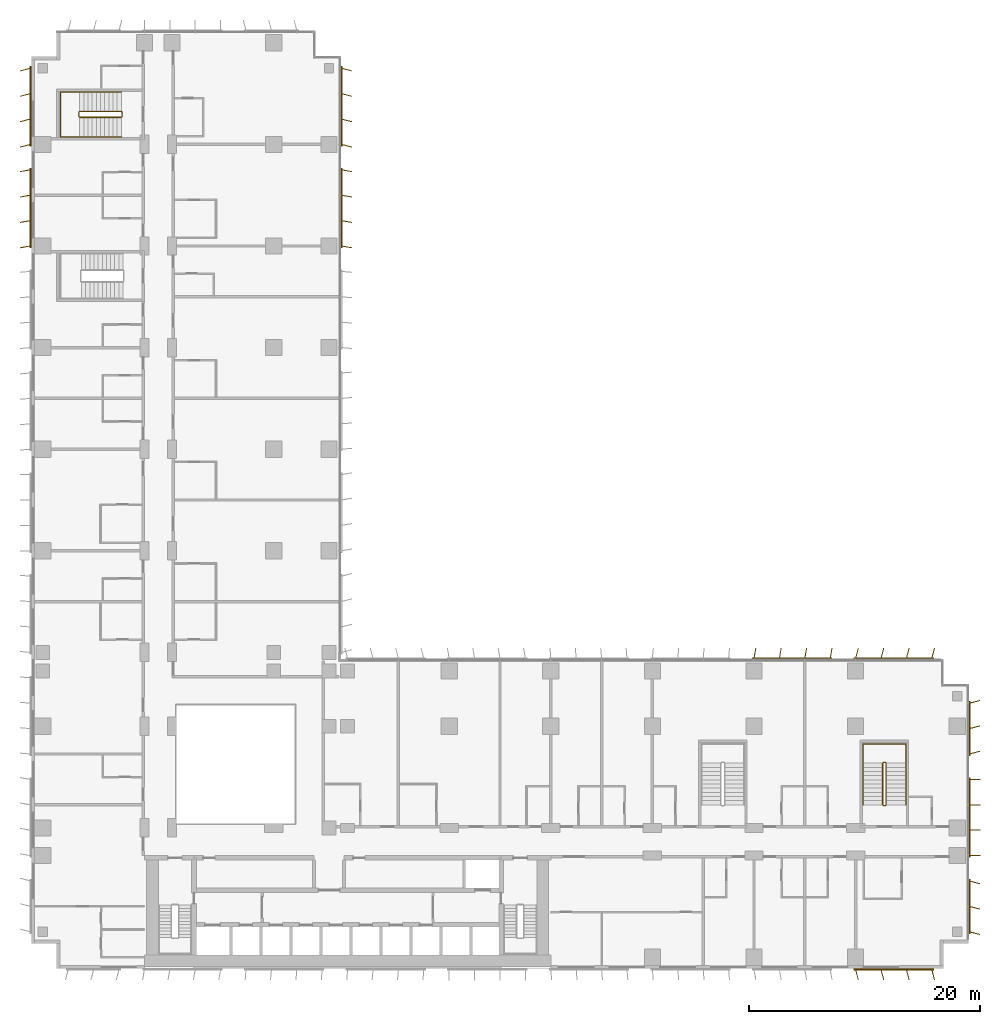
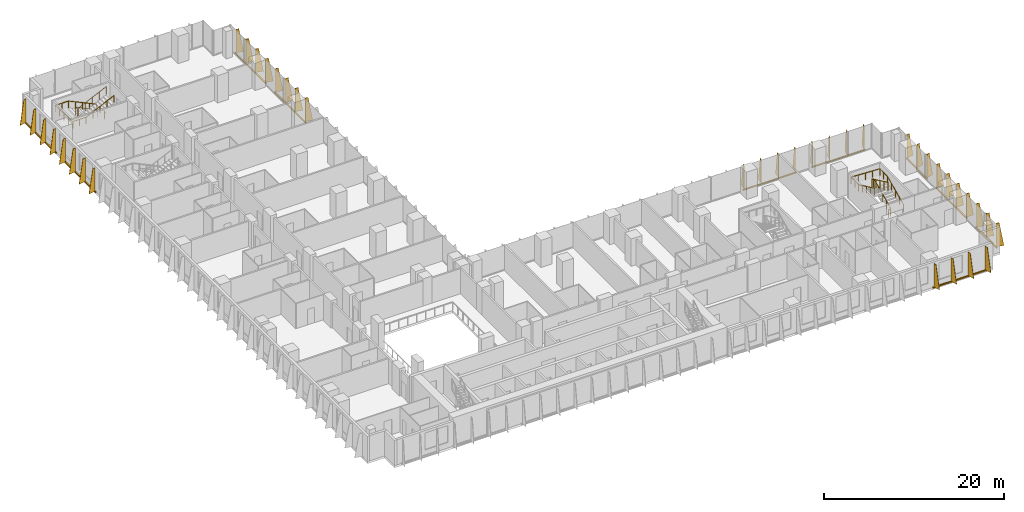
# One storey, part 23 of 24: 10 shading devices, 4 railings.
"""IFC4 building model written with IfcOpenShell, lengths in metres."""

from ifc_helpers import new_model, si_unit, direction, frame, origin, origin_2d, place, context, subcontext, project, spatial, polyline, rectangle, circle, outline, extrude, source, transform, mapped, material, layer, layer_set, type_object, element, save


model = new_model("IFC4")

# Units and contexts
model_context = context("Model", 3, precision=1e-05, world=origin(), true_north=direction((0.0, 1.0)))
body_context = subcontext(model_context, "Body", "Model", "MODEL_VIEW")
ifc_project = project(units=[si_unit("LENGTHUNIT", "METRE"), si_unit("AREAUNIT", "SQUARE_METRE"), si_unit("VOLUMEUNIT", "CUBIC_METRE"), si_unit("PLANEANGLEUNIT", "RADIAN"), si_unit("MASSUNIT", "GRAM", prefix="KILO")], contexts=[model_context])

# Site, building, storey
site_placement = place(None, origin())
site = spatial("IfcSite", under=ifc_project, at=site_placement, CompositionType="ELEMENT")
building_placement = place(site_placement, origin())
building = spatial("IfcBuilding", under=site, at=building_placement, Name="Kemantara Hotel Tower", CompositionType="ELEMENT")
storey_placement = place(building_placement, frame((0.0, 0.0, 48.800048828125)))
storey = spatial("IfcBuildingStorey", under=building, at=storey_placement, Name="L10", CompositionType="ELEMENT", Elevation=48.800048828125)

# Railings
ifc_material_1 = material(Name="Stainless steel balustrade", Category="steel")
railing_type_1 = type_object("IfcRailingType", Name="Stair guard 1100 mm", PredefinedType="GUARDRAIL", material=ifc_material_1)
railing_1_placement = place(storey_placement, frame((73.75, 14.199951171875, 3.699951171875)))
element("IfcRailing", 1, at=railing_1_placement, inside=storey, type_object=railing_type_1, Name="L10 ST5 stair guard 1", PredefinedType="GUARDRAIL", context=body_context, shape_type="SweptSolid", body=[
    extrude(circle(Radius=0.02392578125, at=origin_2d()), frame((0.0, 0.0, 1.076171875), z_axis=(0.0, 0.906005689286, -0.423265508849), x_axis=(-1.0, 0.0, 0.0)), (0.0, 0.0, 1.0), 3.9736328125),
    extrude(circle(Radius=0.02392578125, at=origin_2d()), frame((0.0, 3.60009765625, -0.60595703125), z_axis=(0.274243871929, 0.274243871929, -0.92172696468), x_axis=(-0.707106781187, 0.707106781187, 0.0)), (0.0, 0.0, 1.0), 0.1826171875),
    extrude(circle(Radius=0.02392578125, at=origin_2d()), frame((0.050048828125, 3.650146484375, -0.77392578125), z_axis=(1.0, 0.0, 0.0), x_axis=(0.0, 1.0, 0.0)), (0.0, 0.0, 1.0), 0.199951171875),
    extrude(circle(Radius=0.02392578125, at=origin_2d()), frame((0.25, 3.650146484375, -0.77392578125), z_axis=(0.707106781187, -0.707106781187, 0.0), x_axis=(0.707106781187, 0.707106781187, 0.0)), (0.0, 0.0, 1.0), 0.07080078125),
    extrude(circle(Radius=0.02392578125, at=origin_2d()), frame((0.300048828125, 3.60009765625, -0.77392578125), z_axis=(0.0, -0.906029249863, -0.423215073447), x_axis=(1.0, 0.0, 0.0)), (0.0, 0.0, 1.0), 3.973388671875),
    extrude(circle(Radius=0.02392578125, at=origin_2d()), frame((0.300048828125, 0.0, -2.45556640625), z_axis=(-0.274243871929, -0.274243871929, -0.92172696468), x_axis=(0.707106781187, -0.707106781187, 0.0)), (0.0, 0.0, 1.0), 0.1826171875),
    extrude(circle(Radius=0.02392578125, at=origin_2d()), frame((0.25, -0.050048828125, -2.6240234375), z_axis=(-1.0, 0.0, 0.0), x_axis=(0.0, -1.0, 0.0)), (0.0, 0.0, 1.0), 0.199951171875),
    extrude(circle(Radius=0.02099609375, at=origin_2d()), origin(), (0.0, 0.0, 1.0), 1.052001953125),
    extrude(circle(Radius=0.02099609375, at=origin_2d()), frame((0.0, 0.89990234375, -0.42041015625)), (0.0, 0.0, 1.0), 1.052001953125),
    extrude(circle(Radius=0.02099609375, at=origin_2d()), frame((0.0, 1.800048828125, -0.8408203125)), (0.0, 0.0, 1.0), 1.052001953125),
    extrude(circle(Radius=0.02099609375, at=origin_2d()), frame((0.0, 2.7001953125, -1.261474609375)), (0.0, 0.0, 1.0), 1.052001953125),
    extrude(circle(Radius=0.02099609375, at=origin_2d()), frame((0.0, 3.60009765625, -1.681884765625)), (0.0, 0.0, 1.0), 1.052001953125),
    extrude(circle(Radius=0.02099609375, at=origin_2d()), frame((0.050048828125, 3.650146484375, -1.85009765625)), (0.0, 0.0, 1.0), 1.052001953125),
    extrude(circle(Radius=0.02099609375, at=origin_2d()), frame((0.25, 3.650146484375, -1.85009765625)), (0.0, 0.0, 1.0), 1.052001953125),
    extrude(circle(Radius=0.02099609375, at=origin_2d()), frame((0.300048828125, 3.60009765625, -1.85009765625)), (0.0, 0.0, 1.0), 1.052001953125),
    extrude(circle(Radius=0.02099609375, at=origin_2d()), frame((0.300048828125, 2.7001953125, -2.2705078125)), (0.0, 0.0, 1.0), 1.052001953125),
    extrude(circle(Radius=0.02099609375, at=origin_2d()), frame((0.300048828125, 1.800048828125, -2.69091796875)), (0.0, 0.0, 1.0), 1.052001953125),
    extrude(circle(Radius=0.02099609375, at=origin_2d()), frame((0.300048828125, 0.89990234375, -3.111328125)), (0.0, 0.0, 1.0), 1.052001953125),
    extrude(circle(Radius=0.02099609375, at=origin_2d()), frame((0.300048828125, 0.0, -3.53173828125)), (0.0, 0.0, 1.0), 1.052001953125),
    extrude(circle(Radius=0.02099609375, at=origin_2d()), frame((0.25, -0.050048828125, -3.699951171875)), (0.0, 0.0, 1.0), 1.052001953125),
    extrude(circle(Radius=0.02099609375, at=origin_2d()), frame((0.050048828125, -0.050048828125, -3.699951171875)), (0.0, 0.0, 1.0), 1.052001953125),
])
railing_2_placement = place(storey_placement, frame((7.800048828125, 73.75, 3.699951171875)))
element("IfcRailing", 2, at=railing_2_placement, inside=storey, type_object=railing_type_1, Name="L10 ST6 stair guard 1", PredefinedType="GUARDRAIL", context=body_context, shape_type="SweptSolid", body=[
    extrude(circle(Radius=0.02392578125, at=origin_2d()), frame((0.0, 0.0, 1.076171875), z_axis=(-0.906005689286, 0.0, -0.423265508849), x_axis=(0.0, -1.0, 0.0)), (0.0, 0.0, 1.0), 3.9736328125),
    extrude(circle(Radius=0.02392578125, at=origin_2d()), frame((-3.60009765625, 0.0, -0.60595703125), z_axis=(-0.274243871929, 0.274243871929, -0.92172696468), x_axis=(-0.707106781187, -0.707106781187, 0.0)), (0.0, 0.0, 1.0), 0.1826171875),
    extrude(circle(Radius=0.02392578125, at=origin_2d()), frame((-3.650146484375, 0.050048828125, -0.77392578125), z_axis=(0.0, 1.0, 0.0), x_axis=(-1.0, 0.0, 0.0)), (0.0, 0.0, 1.0), 0.39990234375),
    extrude(circle(Radius=0.02392578125, at=origin_2d()), frame((-3.650146484375, 0.449951171875, -0.77392578125), z_axis=(0.707106781187, 0.707106781187, 0.0), x_axis=(-0.707106781187, 0.707106781187, 0.0)), (0.0, 0.0, 1.0), 0.07080078125),
    extrude(circle(Radius=0.02392578125, at=origin_2d()), frame((-3.60009765625, 0.5, -0.77392578125), z_axis=(0.906029249863, 0.0, -0.423215073447), x_axis=(0.0, 1.0, 0.0)), (0.0, 0.0, 1.0), 3.973388671875),
    extrude(circle(Radius=0.02392578125, at=origin_2d()), frame((0.0, 0.5, -2.45556640625), z_axis=(0.274243871929, -0.274243871929, -0.92172696468), x_axis=(0.707106781187, 0.707106781187, 0.0)), (0.0, 0.0, 1.0), 0.1826171875),
    extrude(circle(Radius=0.02392578125, at=origin_2d()), frame((0.050048828125, 0.449951171875, -2.6240234375), z_axis=(0.0, -1.0, 0.0), x_axis=(1.0, 0.0, 0.0)), (0.0, 0.0, 1.0), 0.39990234375),
    extrude(circle(Radius=0.02099609375, at=origin_2d()), origin(), (0.0, 0.0, 1.0), 1.052001953125),
    extrude(circle(Radius=0.02099609375, at=origin_2d()), frame((-0.89990234375, 0.0, -0.42041015625)), (0.0, 0.0, 1.0), 1.052001953125),
    extrude(circle(Radius=0.02099609375, at=origin_2d()), frame((-1.800048828125, 0.0, -0.8408203125)), (0.0, 0.0, 1.0), 1.052001953125),
    extrude(circle(Radius=0.02099609375, at=origin_2d()), frame((-2.7001953125, 0.0, -1.261474609375)), (0.0, 0.0, 1.0), 1.052001953125),
    extrude(circle(Radius=0.02099609375, at=origin_2d()), frame((-3.60009765625, 0.0, -1.681884765625)), (0.0, 0.0, 1.0), 1.052001953125),
    extrude(circle(Radius=0.02099609375, at=origin_2d()), frame((-3.650146484375, 0.050048828125, -1.85009765625)), (0.0, 0.0, 1.0), 1.052001953125),
    extrude(circle(Radius=0.02099609375, at=origin_2d()), frame((-3.650146484375, 0.449951171875, -1.85009765625)), (0.0, 0.0, 1.0), 1.052001953125),
    extrude(circle(Radius=0.02099609375, at=origin_2d()), frame((-3.60009765625, 0.5, -1.85009765625)), (0.0, 0.0, 1.0), 1.052001953125),
    extrude(circle(Radius=0.02099609375, at=origin_2d()), frame((-2.7001953125, 0.5, -2.2705078125)), (0.0, 0.0, 1.0), 1.052001953125),
    extrude(circle(Radius=0.02099609375, at=origin_2d()), frame((-1.800048828125, 0.5, -2.69091796875)), (0.0, 0.0, 1.0), 1.052001953125),
    extrude(circle(Radius=0.02099609375, at=origin_2d()), frame((-0.89990234375, 0.5, -3.111328125)), (0.0, 0.0, 1.0), 1.052001953125),
    extrude(circle(Radius=0.02099609375, at=origin_2d()), frame((0.0, 0.5, -3.53173828125)), (0.0, 0.0, 1.0), 1.052001953125),
    extrude(circle(Radius=0.02099609375, at=origin_2d()), frame((0.050048828125, 0.449951171875, -3.699951171875)), (0.0, 0.0, 1.0), 1.052001953125),
    extrude(circle(Radius=0.02099609375, at=origin_2d()), frame((0.050048828125, 0.050048828125, -3.699951171875)), (0.0, 0.0, 1.0), 1.052001953125),
])
railing_type_2 = type_object("IfcRailingType", Name="Stair handrail 900 mm", PredefinedType="HANDRAIL", material=ifc_material_1)
railing_3_placement = place(storey_placement, frame((75.75, 14.199951171875, 0.168212890625)))
element("IfcRailing", 3, at=railing_3_placement, inside=storey, type_object=railing_type_2, Name="L10 ST5 stair handrail 1", PredefinedType="HANDRAIL", context=body_context, shape_type="SweptSolid", body=[
    extrude(circle(Radius=0.02392578125, at=origin_2d()), frame((0.0, 0.0, 0.8759765625), z_axis=(0.0, 0.906029249863, 0.423215073447), x_axis=(-1.0, 0.0, 0.0)), (0.0, 0.0, 1.0), 3.973388671875),
    extrude(circle(Radius=0.02392578125, at=origin_2d()), frame((0.0, 3.60009765625, 2.5576171875), z_axis=(0.0, 1.0, 0.0), x_axis=(-1.0, 0.0, 0.0)), (0.0, 0.0, 1.0), 1.679931640625),
    extrude(circle(Radius=0.02392578125, at=origin_2d()), frame((0.0, 5.280029296875, 2.5576171875), z_axis=(-0.998968132438, 0.0, 0.045416631029), x_axis=(0.0, -1.0, 0.0)), (0.0, 0.0, 1.0), 3.703857421875),
    extrude(circle(Radius=0.02392578125, at=origin_2d()), frame((-3.699951171875, 5.280029296875, 2.7255859375), z_axis=(0.0, -1.0, 0.0), x_axis=(1.0, 0.0, 0.0)), (0.0, 0.0, 1.0), 1.679931640625),
    extrude(circle(Radius=0.02392578125, at=origin_2d()), frame((-3.699951171875, 3.60009765625, 2.7255859375), z_axis=(0.0, -0.906005689286, 0.423265508849), x_axis=(1.0, 0.0, 0.0)), (0.0, 0.0, 1.0), 3.9736328125),
    extrude(circle(Radius=0.02099609375, at=origin_2d()), origin(), (0.0, 0.0, 1.0), 0.851806640625),
    extrude(circle(Radius=0.02099609375, at=origin_2d()), frame((0.0, 0.89990234375, 0.42041015625)), (0.0, 0.0, 1.0), 0.851806640625),
    extrude(circle(Radius=0.02099609375, at=origin_2d()), frame((0.0, 1.800048828125, 0.8408203125)), (0.0, 0.0, 1.0), 0.851806640625),
    extrude(circle(Radius=0.02099609375, at=origin_2d()), frame((0.0, 2.7001953125, 1.26123046875)), (0.0, 0.0, 1.0), 0.851806640625),
    extrude(circle(Radius=0.02099609375, at=origin_2d()), frame((0.0, 3.60009765625, 1.681640625)), (0.0, 0.0, 1.0), 0.851806640625),
    extrude(circle(Radius=0.02099609375, at=origin_2d()), frame((0.0, 4.43994140625, 1.681640625)), (0.0, 0.0, 1.0), 0.851806640625),
    extrude(circle(Radius=0.02099609375, at=origin_2d()), frame((0.0, 5.280029296875, 1.681640625)), (0.0, 0.0, 1.0), 0.851806640625),
    extrude(circle(Radius=0.02099609375, at=origin_2d()), frame((-0.925048828125, 5.280029296875, 1.7236328125)), (0.0, 0.0, 1.0), 0.851806640625),
    extrude(circle(Radius=0.02099609375, at=origin_2d()), frame((-1.85009765625, 5.280029296875, 1.765625)), (0.0, 0.0, 1.0), 0.851806640625),
    extrude(circle(Radius=0.02099609375, at=origin_2d()), frame((-2.77490234375, 5.280029296875, 1.807861328125)), (0.0, 0.0, 1.0), 0.851806640625),
    extrude(circle(Radius=0.02099609375, at=origin_2d()), frame((-3.699951171875, 5.280029296875, 1.849853515625)), (0.0, 0.0, 1.0), 0.851806640625),
    extrude(circle(Radius=0.02099609375, at=origin_2d()), frame((-3.699951171875, 4.43994140625, 1.849853515625)), (0.0, 0.0, 1.0), 0.851806640625),
    extrude(circle(Radius=0.02099609375, at=origin_2d()), frame((-3.699951171875, 3.60009765625, 1.849853515625)), (0.0, 0.0, 1.0), 0.851806640625),
    extrude(circle(Radius=0.02099609375, at=origin_2d()), frame((-3.699951171875, 2.7001953125, 2.270263671875)), (0.0, 0.0, 1.0), 0.851806640625),
    extrude(circle(Radius=0.02099609375, at=origin_2d()), frame((-3.699951171875, 1.800048828125, 2.69091796875)), (0.0, 0.0, 1.0), 0.851806640625),
    extrude(circle(Radius=0.02099609375, at=origin_2d()), frame((-3.699951171875, 0.89990234375, 3.111328125)), (0.0, 0.0, 1.0), 0.851806640625),
    extrude(circle(Radius=0.02099609375, at=origin_2d()), frame((-3.699951171875, 0.0, 3.53173828125)), (0.0, 0.0, 1.0), 0.851806640625),
])
railing_4_placement = place(storey_placement, frame((7.800048828125, 75.949951171875, 0.168212890625)))
element("IfcRailing", 4, at=railing_4_placement, inside=storey, type_object=railing_type_2, Name="L10 ST6 stair handrail 1", PredefinedType="HANDRAIL", context=body_context, shape_type="SweptSolid", body=[
    extrude(circle(Radius=0.02392578125, at=origin_2d()), frame((0.0, 0.0, 0.8759765625), z_axis=(-0.906029249863, 0.0, 0.423215073447), x_axis=(0.0, -1.0, 0.0)), (0.0, 0.0, 1.0), 3.973388671875),
    extrude(circle(Radius=0.02392578125, at=origin_2d()), frame((-3.60009765625, 0.0, 2.5576171875), z_axis=(-1.0, 0.0, 0.0), x_axis=(0.0, -1.0, 0.0)), (0.0, 0.0, 1.0), 1.679931640625),
    extrude(circle(Radius=0.02392578125, at=origin_2d()), frame((-5.280029296875, 0.0, 2.5576171875), z_axis=(0.0, -0.999071085748, 0.043092523981), x_axis=(1.0, 0.0, 0.0)), (0.0, 0.0, 1.0), 3.903564453125),
    extrude(circle(Radius=0.02392578125, at=origin_2d()), frame((-5.280029296875, -3.89990234375, 2.7255859375), z_axis=(1.0, 0.0, 0.0), x_axis=(0.0, 1.0, 0.0)), (0.0, 0.0, 1.0), 1.679931640625),
    extrude(circle(Radius=0.02392578125, at=origin_2d()), frame((-3.60009765625, -3.89990234375, 2.7255859375), z_axis=(0.906005689286, 0.0, 0.423265508849), x_axis=(0.0, 1.0, 0.0)), (0.0, 0.0, 1.0), 3.9736328125),
    extrude(circle(Radius=0.02099609375, at=origin_2d()), origin(), (0.0, 0.0, 1.0), 0.851806640625),
    extrude(circle(Radius=0.02099609375, at=origin_2d()), frame((-0.89990234375, 0.0, 0.42041015625)), (0.0, 0.0, 1.0), 0.851806640625),
    extrude(circle(Radius=0.02099609375, at=origin_2d()), frame((-1.800048828125, 0.0, 0.8408203125)), (0.0, 0.0, 1.0), 0.851806640625),
    extrude(circle(Radius=0.02099609375, at=origin_2d()), frame((-2.7001953125, 0.0, 1.26123046875)), (0.0, 0.0, 1.0), 0.851806640625),
    extrude(circle(Radius=0.02099609375, at=origin_2d()), frame((-3.60009765625, 0.0, 1.681640625)), (0.0, 0.0, 1.0), 0.851806640625),
    extrude(circle(Radius=0.02099609375, at=origin_2d()), frame((-4.43994140625, 0.0, 1.681640625)), (0.0, 0.0, 1.0), 0.851806640625),
    extrude(circle(Radius=0.02099609375, at=origin_2d()), frame((-5.280029296875, 0.0, 1.681640625)), (0.0, 0.0, 1.0), 0.851806640625),
    extrude(circle(Radius=0.02099609375, at=origin_2d()), frame((-5.280029296875, -0.97509765625, 1.7236328125)), (0.0, 0.0, 1.0), 0.851806640625),
    extrude(circle(Radius=0.02099609375, at=origin_2d()), frame((-5.280029296875, -1.949951171875, 1.765625)), (0.0, 0.0, 1.0), 0.851806640625),
    extrude(circle(Radius=0.02099609375, at=origin_2d()), frame((-5.280029296875, -2.9248046875, 1.807861328125)), (0.0, 0.0, 1.0), 0.851806640625),
    extrude(circle(Radius=0.02099609375, at=origin_2d()), frame((-5.280029296875, -3.89990234375, 1.849853515625)), (0.0, 0.0, 1.0), 0.851806640625),
    extrude(circle(Radius=0.02099609375, at=origin_2d()), frame((-4.43994140625, -3.89990234375, 1.849853515625)), (0.0, 0.0, 1.0), 0.851806640625),
    extrude(circle(Radius=0.02099609375, at=origin_2d()), frame((-3.60009765625, -3.89990234375, 1.849853515625)), (0.0, 0.0, 1.0), 0.851806640625),
    extrude(circle(Radius=0.02099609375, at=origin_2d()), frame((-2.7001953125, -3.89990234375, 2.270263671875)), (0.0, 0.0, 1.0), 0.851806640625),
    extrude(circle(Radius=0.02099609375, at=origin_2d()), frame((-1.800048828125, -3.89990234375, 2.69091796875)), (0.0, 0.0, 1.0), 0.851806640625),
    extrude(circle(Radius=0.02099609375, at=origin_2d()), frame((-0.89990234375, -3.89990234375, 3.111328125)), (0.0, 0.0, 1.0), 0.851806640625),
    extrude(circle(Radius=0.02099609375, at=origin_2d()), frame((0.0, -3.89990234375, 3.53173828125)), (0.0, 0.0, 1.0), 0.851806640625),
])

# Shading devices
ifc_material_2 = material(Name="Perforated aluminium plate 4 mm bronze anodised", Category="aluminium")
ifc_layer_1 = layer(ifc_material_2, 0.0400390625)
ifc_layer_set_1 = layer_set([ifc_layer_1], Name="Perforated aluminium plate 4 mm bronze anodised")
shading_device_type_1 = type_object("IfcShadingDeviceType", Name="SCREEN FIN CASSETTE, 3 BLADES AT -15.0 DEG, 3200 HIGH", PredefinedType="USERDEFINED", material=ifc_layer_set_1)
shared_shape_1 = source(origin(), body_context, "Body", "SweptSolid", [
    extrude(rectangle(XDim=4.699951171875, YDim=0.14990234375, at=origin_2d()), frame((2.199951171875, -0.074951171875, -0.14990234375), z_axis=(0.0, 0.0, 1.0), x_axis=(1.0, 0.0, 0.0)), (0.0, 0.0, 1.0), 0.14990234375),
    extrude(outline(polyline([(0.0, 0.0), (0.89990234375, 0.0), (0.35009765625, 3.199951171875), (0.0, 3.199951171875), (0.0, 0.0)])), frame((0.019287109375, -0.080078125, 0.0), z_axis=(-0.966437683387, 0.256901156343, 0.0), x_axis=(-0.256901156343, -0.966437683387, 0.0)), (0.0, 0.0, 1.0), 0.039794921875),
    extrude(outline(polyline([(0.0, 0.0), (0.89990234375, 0.0), (0.35009765625, 3.199951171875), (0.0, 3.199951171875), (0.0, 0.0)])), frame((2.21923828125, -0.080078125, 0.0), z_axis=(-0.966437683387, 0.256901156343, 0.0), x_axis=(-0.256901156343, -0.966437683387, 0.0)), (0.0, 0.0, 1.0), 0.039794921875),
    extrude(outline(polyline([(0.0, 0.0), (0.89990234375, 0.0), (0.35009765625, 3.199951171875), (0.0, 3.199951171875), (0.0, 0.0)])), frame((4.41943359375, -0.080078125, 0.0), z_axis=(-0.966837822169, 0.255391122837, 0.0), x_axis=(-0.255391122837, -0.966837822169, 0.0)), (0.0, 0.0, 1.0), 0.0400390625),
])
shading_device_1_placement = place(storey_placement, frame((81.199951171875, 3.199951171875, 0.099853515625), z_axis=(0.0, 0.0, 1.0), x_axis=(0.0, 1.0, 0.0)))
element("IfcShadingDevice", 5, at=shading_device_1_placement, inside=storey, type_object=shading_device_type_1, Name="SCREEN FIN CASSETTE L10 T1-R04-1", ObjectType="SCREEN FIN", PredefinedType="USERDEFINED", context=body_context, shape_type="MappedRepresentation", body=[
    mapped(shared_shape_1, transform((0.0, 0.0, 0.0))),
])
ifc_layer_2 = layer(ifc_material_2, 0.0400390625)
ifc_layer_set_2 = layer_set([ifc_layer_2], Name="Perforated aluminium plate 4 mm bronze anodised")
shading_device_type_2 = type_object("IfcShadingDeviceType", Name="SCREEN FIN CASSETTE, 4 BLADES AT -10.0 DEG, 3200 HIGH", PredefinedType="USERDEFINED", material=ifc_layer_set_2)
shared_shape_2 = source(origin(), body_context, "Body", "SweptSolid", [
    extrude(rectangle(XDim=6.89990234375, YDim=0.14990234375, at=origin_2d()), frame((3.300048828125, -0.074951171875, -0.14990234375), z_axis=(0.0, 0.0, 1.0), x_axis=(1.0, 0.0, 0.0)), (0.0, 0.0, 1.0), 0.14990234375),
    extrude(outline(polyline([(0.0, 0.0), (0.89990234375, 0.0), (0.35009765625, 3.199951171875), (0.0, 3.199951171875), (0.0, 0.0)])), frame((0.019775390625, -0.078369140625, 0.0), z_axis=(-0.985389793052, 0.170314285219, 0.0), x_axis=(-0.170314285219, -0.985389793052, 0.0)), (0.0, 0.0, 1.0), 0.0400390625),
    extrude(outline(polyline([(0.0, 0.0), (0.89990234375, 0.0), (0.35009765625, 3.199951171875), (0.0, 3.199951171875), (0.0, 0.0)])), frame((2.2197265625, -0.078369140625, 0.0), z_axis=(-0.98521175482, 0.171341174751, 0.0), x_axis=(-0.171341174751, -0.98521175482, 0.0)), (0.0, 0.0, 1.0), 0.039794921875),
    extrude(outline(polyline([(0.0, 0.0), (0.89990234375, 0.0), (0.35009765625, 3.199951171875), (0.0, 3.199951171875), (0.0, 0.0)])), frame((4.419677734375, -0.078369140625, 0.0), z_axis=(-0.98521175482, 0.171341174751, 0.0), x_axis=(-0.171341174751, -0.98521175482, 0.0)), (0.0, 0.0, 1.0), 0.039794921875),
    extrude(outline(polyline([(0.0, 0.0), (0.89990234375, 0.0), (0.35009765625, 3.199951171875), (0.0, 3.199951171875), (0.0, 0.0)])), frame((6.61962890625, -0.078369140625, 0.0), z_axis=(-0.98521175482, 0.171341174751, 0.0), x_axis=(-0.171341174751, -0.98521175482, 0.0)), (0.0, 0.0, 1.0), 0.039794921875),
])
for number, where, z_axis, x_axis, name in (
    (6, (69.199951171875, 26.800048828125, 0.099853515625), (0.0, 0.0, 1.0), (-1.0, 0.0, 0.0), "SCREEN FIN CASSETTE L10 T1-R07-2"),
    (7, (26.800048828125, 62.60009765625, 0.099853515625), (0.0, 0.0, 1.0), (0.0, 1.0, 0.0), "SCREEN FIN CASSETTE L10 T1-R08-5"),
):
    element("IfcShadingDevice", number, at=place(storey_placement, frame(where, z_axis=z_axis, x_axis=x_axis)), inside=storey, type_object=shading_device_type_2, Name=name, ObjectType="SCREEN FIN", PredefinedType="USERDEFINED", context=body_context, shape_type="MappedRepresentation", body=[
        mapped(shared_shape_2, transform((0.0, 0.0, 0.0))),
    ])
ifc_layer_3 = layer(ifc_material_2, 0.0400390625)
ifc_layer_set_3 = layer_set([ifc_layer_3], Name="Perforated aluminium plate 4 mm bronze anodised")
shading_device_type_3 = type_object("IfcShadingDeviceType", Name="SCREEN FIN CASSETTE, 4 BLADES AT +0.0 DEG, 3200 HIGH", PredefinedType="USERDEFINED", material=ifc_layer_set_3)
shared_shape_3 = source(origin(), body_context, "Body", "SweptSolid", [
    extrude(rectangle(XDim=6.89990234375, YDim=0.14990234375, at=origin_2d()), frame((3.300048828125, -0.074951171875, -0.14990234375), z_axis=(0.0, 0.0, 1.0), x_axis=(1.0, 0.0, 0.0)), (0.0, 0.0, 1.0), 0.14990234375),
    extrude(outline(polyline([(0.0, 0.0), (0.89990234375, 0.0), (0.35009765625, 3.199951171875), (0.0, 3.199951171875), (0.0, 0.0)])), frame((0.02001953125, -0.074951171875, 0.0), z_axis=(-1.0, 0.0, 0.0), x_axis=(0.0, -1.0, 0.0)), (0.0, 0.0, 1.0), 0.0400390625),
    extrude(outline(polyline([(0.0, 0.0), (0.89990234375, 0.0), (0.35009765625, 3.199951171875), (0.0, 3.199951171875), (0.0, 0.0)])), frame((2.219970703125, -0.074951171875, 0.0), z_axis=(-1.0, 0.0, 0.0), x_axis=(0.0, -1.0, 0.0)), (0.0, 0.0, 1.0), 0.0400390625),
    extrude(outline(polyline([(0.0, 0.0), (0.89990234375, 0.0), (0.35009765625, 3.199951171875), (0.0, 3.199951171875), (0.0, 0.0)])), frame((4.419921875, -0.074951171875, 0.0), z_axis=(-1.0, 0.0, 0.0), x_axis=(0.0, -1.0, 0.0)), (0.0, 0.0, 1.0), 0.0400390625),
    extrude(outline(polyline([(0.0, 0.0), (0.89990234375, 0.0), (0.35009765625, 3.199951171875), (0.0, 3.199951171875), (0.0, 0.0)])), frame((6.6201171875, -0.074951171875, 0.0), z_axis=(-1.0, 0.0, 0.0), x_axis=(0.0, -1.0, 0.0)), (0.0, 0.0, 1.0), 0.0400390625),
])
shading_device_2_placement = place(storey_placement, frame((81.199951171875, 9.800048828125, 0.099853515625), z_axis=(0.0, 0.0, 1.0), x_axis=(0.0, 1.0, 0.0)))
element("IfcShadingDevice", 8, at=shading_device_2_placement, inside=storey, type_object=shading_device_type_3, Name="SCREEN FIN CASSETTE L10 T1-R04-2", ObjectType="SCREEN FIN", PredefinedType="USERDEFINED", context=body_context, shape_type="MappedRepresentation", body=[
    mapped(shared_shape_3, transform((0.0, 0.0, 0.0))),
])
ifc_layer_4 = layer(ifc_material_2, 0.0400390625)
ifc_layer_set_4 = layer_set([ifc_layer_4], Name="Perforated aluminium plate 4 mm bronze anodised")
shading_device_type_4 = type_object("IfcShadingDeviceType", Name="SCREEN FIN CASSETTE, 4 BLADES AT +10.0 DEG, 3200 HIGH", PredefinedType="USERDEFINED", material=ifc_layer_set_4)
shared_shape_4 = source(origin(), body_context, "Body", "SweptSolid", [
    extrude(rectangle(XDim=6.89990234375, YDim=0.14990234375, at=origin_2d()), frame((3.300048828125, -0.074951171875, -0.14990234375), z_axis=(0.0, 0.0, 1.0), x_axis=(1.0, 0.0, 0.0)), (0.0, 0.0, 1.0), 0.14990234375),
    extrude(outline(polyline([(0.0, 0.0), (0.89990234375, 0.0), (0.35009765625, 3.199951171875), (0.0, 3.199951171875), (0.0, 0.0)])), frame((0.019775390625, -0.071533203125, 0.0), z_axis=(-0.985389793052, -0.170314285219, 0.0), x_axis=(0.170314285219, -0.985389793052, 0.0)), (0.0, 0.0, 1.0), 0.0400390625),
    extrude(outline(polyline([(0.0, 0.0), (0.89990234375, 0.0), (0.35009765625, 3.199951171875), (0.0, 3.199951171875), (0.0, 0.0)])), frame((2.2197265625, -0.071533203125, 0.0), z_axis=(-0.98521175482, -0.171341174751, 0.0), x_axis=(0.171341174751, -0.98521175482, 0.0)), (0.0, 0.0, 1.0), 0.039794921875),
    extrude(outline(polyline([(0.0, 0.0), (0.89990234375, 0.0), (0.35009765625, 3.199951171875), (0.0, 3.199951171875), (0.0, 0.0)])), frame((4.419677734375, -0.071533203125, 0.0), z_axis=(-0.98521175482, -0.171341174751, 0.0), x_axis=(0.171341174751, -0.98521175482, 0.0)), (0.0, 0.0, 1.0), 0.039794921875),
    extrude(outline(polyline([(0.0, 0.0), (0.89990234375, 0.0), (0.35009765625, 3.199951171875), (0.0, 3.199951171875), (0.0, 0.0)])), frame((6.61962890625, -0.071533203125, 0.0), z_axis=(-0.98521175482, -0.171341174751, 0.0), x_axis=(0.171341174751, -0.98521175482, 0.0)), (0.0, 0.0, 1.0), 0.039794921875),
])
shading_device_3_placement = place(storey_placement, frame((0.0, 69.199951171875, 0.099853515625), z_axis=(0.0, 0.0, 1.0), x_axis=(0.0, -1.0, 0.0)))
element("IfcShadingDevice", 9, at=shading_device_3_placement, inside=storey, type_object=shading_device_type_4, Name="SCREEN FIN CASSETTE L10 T1-R14-2", ObjectType="SCREEN FIN", PredefinedType="USERDEFINED", context=body_context, shape_type="MappedRepresentation", body=[
    mapped(shared_shape_4, transform((0.0, 0.0, 0.0))),
])
ifc_layer_5 = layer(ifc_material_2, 0.0400390625)
ifc_layer_set_5 = layer_set([ifc_layer_5], Name="Perforated aluminium plate 4 mm bronze anodised")
shading_device_type_5 = type_object("IfcShadingDeviceType", Name="SCREEN FIN CASSETTE, 4 BLADES AT +15.0 DEG, 3200 HIGH", PredefinedType="USERDEFINED", material=ifc_layer_set_5)
shared_shape_5 = source(origin(), body_context, "Body", "SweptSolid", [
    extrude(rectangle(XDim=6.89990234375, YDim=0.14990234375, at=origin_2d()), frame((3.300048828125, -0.074951171875, -0.14990234375), z_axis=(0.0, 0.0, 1.0), x_axis=(1.0, 0.0, 0.0)), (0.0, 0.0, 1.0), 0.14990234375),
    extrude(outline(polyline([(0.0, 0.0), (0.89990234375, 0.0), (0.35009765625, 3.199951171875), (0.0, 3.199951171875), (0.0, 0.0)])), frame((0.019287109375, -0.06982421875, 0.0), z_axis=(-0.966437683387, -0.256901156343, 0.0), x_axis=(0.256901156343, -0.966437683387, 0.0)), (0.0, 0.0, 1.0), 0.039794921875),
    extrude(outline(polyline([(0.0, 0.0), (0.89990234375, 0.0), (0.35009765625, 3.199951171875), (0.0, 3.199951171875), (0.0, 0.0)])), frame((2.21923828125, -0.06982421875, 0.0), z_axis=(-0.966437683387, -0.256901156343, 0.0), x_axis=(0.256901156343, -0.966437683387, 0.0)), (0.0, 0.0, 1.0), 0.039794921875),
    extrude(outline(polyline([(0.0, 0.0), (0.89990234375, 0.0), (0.35009765625, 3.199951171875), (0.0, 3.199951171875), (0.0, 0.0)])), frame((4.41943359375, -0.06982421875, 0.0), z_axis=(-0.966837822169, -0.255391122837, 0.0), x_axis=(0.255391122837, -0.966837822169, 0.0)), (0.0, 0.0, 1.0), 0.0400390625),
    extrude(outline(polyline([(0.0, 0.0), (0.89990234375, 0.0), (0.35009765625, 3.199951171875), (0.0, 3.199951171875), (0.0, 0.0)])), frame((6.619384765625, -0.06982421875, 0.0), z_axis=(-0.966837822169, -0.255391122837, 0.0), x_axis=(0.255391122837, -0.966837822169, 0.0)), (0.0, 0.0, 1.0), 0.0400390625),
])
for number, where, z_axis, x_axis, name in (
    (10, (71.39990234375, 0.0, 0.099853515625), (0.0, 0.0, 1.0), (1.0, 0.0, 0.0), "SCREEN FIN CASSETTE L10 T1-R01-9"),
    (11, (0.0, 78.0, 0.099853515625), (0.0, 0.0, 1.0), (0.0, -1.0, 0.0), "SCREEN FIN CASSETTE L10 T1-R14-1"),
):
    element("IfcShadingDevice", number, at=place(storey_placement, frame(where, z_axis=z_axis, x_axis=x_axis)), inside=storey, type_object=shading_device_type_5, Name=name, ObjectType="SCREEN FIN", PredefinedType="USERDEFINED", context=body_context, shape_type="MappedRepresentation", body=[
        mapped(shared_shape_5, transform((0.0, 0.0, 0.0))),
    ])
ifc_layer_6 = layer(ifc_material_2, 0.0400390625)
ifc_layer_set_6 = layer_set([ifc_layer_6], Name="Perforated aluminium plate 4 mm bronze anodised")
shading_device_type_6 = type_object("IfcShadingDeviceType", Name="SCREEN FIN CASSETTE, 3 BLADES AT +15.0 DEG, 3200 HIGH", PredefinedType="USERDEFINED", material=ifc_layer_set_6)
shared_shape_6 = source(origin(), body_context, "Body", "SweptSolid", [
    extrude(rectangle(XDim=4.699951171875, YDim=0.14990234375, at=origin_2d()), frame((2.199951171875, -0.074951171875, -0.14990234375), z_axis=(0.0, 0.0, 1.0), x_axis=(1.0, 0.0, 0.0)), (0.0, 0.0, 1.0), 0.14990234375),
    extrude(outline(polyline([(0.0, 0.0), (0.89990234375, 0.0), (0.35009765625, 3.199951171875), (0.0, 3.199951171875), (0.0, 0.0)])), frame((0.019287109375, -0.06982421875, 0.0), z_axis=(-0.966437683387, -0.256901156343, 0.0), x_axis=(0.256901156343, -0.966437683387, 0.0)), (0.0, 0.0, 1.0), 0.039794921875),
    extrude(outline(polyline([(0.0, 0.0), (0.89990234375, 0.0), (0.35009765625, 3.199951171875), (0.0, 3.199951171875), (0.0, 0.0)])), frame((2.21923828125, -0.06982421875, 0.0), z_axis=(-0.966437683387, -0.256901156343, 0.0), x_axis=(0.256901156343, -0.966437683387, 0.0)), (0.0, 0.0, 1.0), 0.039794921875),
    extrude(outline(polyline([(0.0, 0.0), (0.89990234375, 0.0), (0.35009765625, 3.199951171875), (0.0, 3.199951171875), (0.0, 0.0)])), frame((4.41943359375, -0.06982421875, 0.0), z_axis=(-0.966837822169, -0.255391122837, 0.0), x_axis=(0.255391122837, -0.966837822169, 0.0)), (0.0, 0.0, 1.0), 0.0400390625),
])
shading_device_4_placement = place(storey_placement, frame((81.199951171875, 18.60009765625, 0.099853515625), z_axis=(0.0, 0.0, 1.0), x_axis=(0.0, 1.0, 0.0)))
element("IfcShadingDevice", 12, at=shading_device_4_placement, inside=storey, type_object=shading_device_type_6, Name="SCREEN FIN CASSETTE L10 T1-R04-3", ObjectType="SCREEN FIN", PredefinedType="USERDEFINED", context=body_context, shape_type="MappedRepresentation", body=[
    mapped(shared_shape_6, transform((0.0, 0.0, 0.0))),
])
ifc_layer_7 = layer(ifc_material_2, 0.0400390625)
ifc_layer_set_7 = layer_set([ifc_layer_7], Name="Perforated aluminium plate 4 mm bronze anodised")
shading_device_type_7 = type_object("IfcShadingDeviceType", Name="SCREEN FIN CASSETTE, 4 BLADES AT -15.0 DEG, 3200 HIGH", PredefinedType="USERDEFINED", material=ifc_layer_set_7)
shared_shape_7 = source(origin(), body_context, "Body", "SweptSolid", [
    extrude(rectangle(XDim=6.89990234375, YDim=0.14990234375, at=origin_2d()), frame((3.300048828125, -0.074951171875, -0.14990234375), z_axis=(0.0, 0.0, 1.0), x_axis=(1.0, 0.0, 0.0)), (0.0, 0.0, 1.0), 0.14990234375),
    extrude(outline(polyline([(0.0, 0.0), (0.89990234375, 0.0), (0.35009765625, 3.199951171875), (0.0, 3.199951171875), (0.0, 0.0)])), frame((0.019287109375, -0.080078125, 0.0), z_axis=(-0.966437683387, 0.256901156343, 0.0), x_axis=(-0.256901156343, -0.966437683387, 0.0)), (0.0, 0.0, 1.0), 0.039794921875),
    extrude(outline(polyline([(0.0, 0.0), (0.89990234375, 0.0), (0.35009765625, 3.199951171875), (0.0, 3.199951171875), (0.0, 0.0)])), frame((2.21923828125, -0.080078125, 0.0), z_axis=(-0.966437683387, 0.256901156343, 0.0), x_axis=(-0.256901156343, -0.966437683387, 0.0)), (0.0, 0.0, 1.0), 0.039794921875),
    extrude(outline(polyline([(0.0, 0.0), (0.89990234375, 0.0), (0.35009765625, 3.199951171875), (0.0, 3.199951171875), (0.0, 0.0)])), frame((4.41943359375, -0.080078125, 0.0), z_axis=(-0.966837822169, 0.255391122837, 0.0), x_axis=(-0.255391122837, -0.966837822169, 0.0)), (0.0, 0.0, 1.0), 0.0400390625),
    extrude(outline(polyline([(0.0, 0.0), (0.89990234375, 0.0), (0.35009765625, 3.199951171875), (0.0, 3.199951171875), (0.0, 0.0)])), frame((6.619384765625, -0.080078125, 0.0), z_axis=(-0.966837822169, 0.255391122837, 0.0), x_axis=(-0.255391122837, -0.966837822169, 0.0)), (0.0, 0.0, 1.0), 0.0400390625),
])
for number, where, z_axis, x_axis, name in (
    (13, (78.0, 26.800048828125, 0.099853515625), (0.0, 0.0, 1.0), (-1.0, 0.0, 0.0), "SCREEN FIN CASSETTE L10 T1-R07-1"),
    (14, (26.800048828125, 71.39990234375, 0.099853515625), (0.0, 0.0, 1.0), (0.0, 1.0, 0.0), "SCREEN FIN CASSETTE L10 T1-R08-6"),
):
    element("IfcShadingDevice", number, at=place(storey_placement, frame(where, z_axis=z_axis, x_axis=x_axis)), inside=storey, type_object=shading_device_type_7, Name=name, ObjectType="SCREEN FIN", PredefinedType="USERDEFINED", context=body_context, shape_type="MappedRepresentation", body=[
        mapped(shared_shape_7, transform((0.0, 0.0, 0.0))),
    ])

save(model, "model.ifc")
